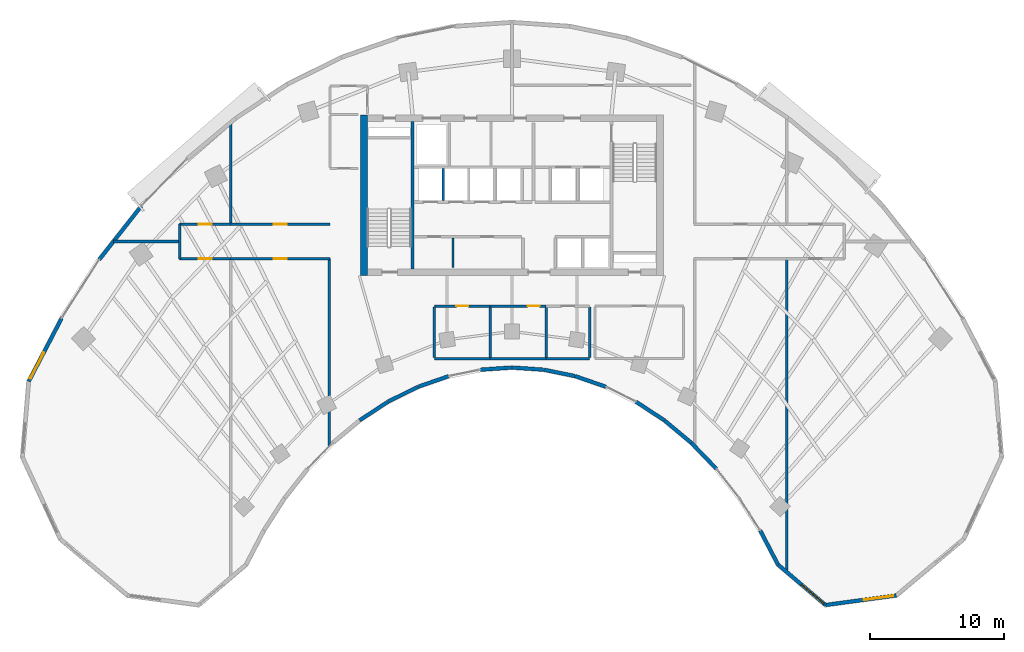
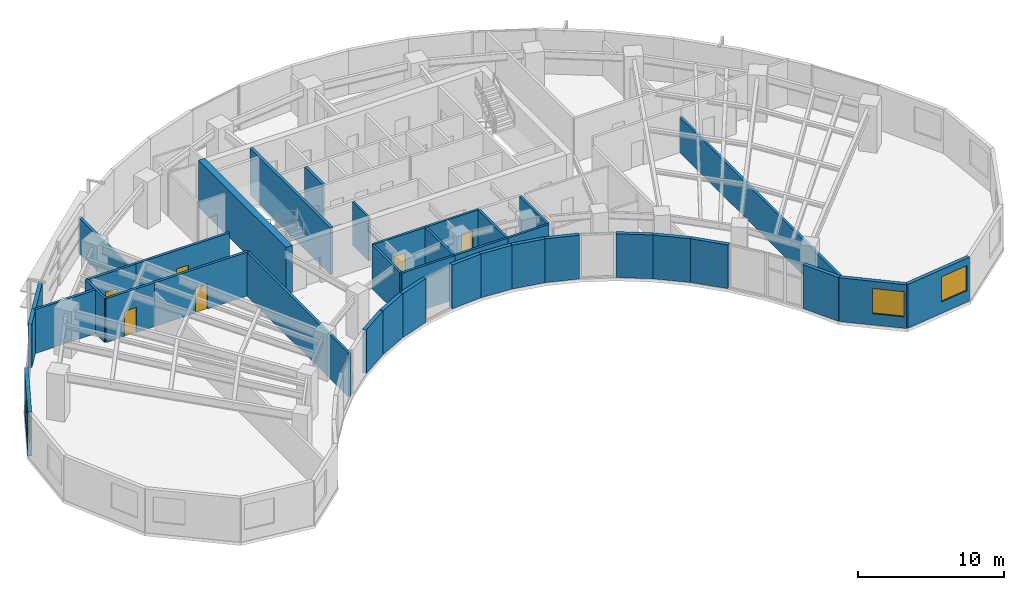
# One storey, part 8 of 13: 37 walls, 6 doors, 3 windows, 9 openings.
"""IFC4 building model written with IfcOpenShell, lengths in metres."""

from ifc_helpers import new_model, si_unit, direction, frame, frame_2d, origin, place, context, subcontext, project, spatial, rectangle, extrude, source, transform, mapped, material, layer, layer_set, type_object, type_shapes, element, fill, save


model = new_model("IFC4")

# Units and contexts
model_context = context("Model", 3, precision=1e-05, world=origin(), true_north=direction((0.0, 1.0)))
body_context = subcontext(model_context, "Body", "Model", "MODEL_VIEW")
ifc_project = project(units=[si_unit("LENGTHUNIT", "METRE"), si_unit("AREAUNIT", "SQUARE_METRE"), si_unit("VOLUMEUNIT", "CUBIC_METRE"), si_unit("PLANEANGLEUNIT", "RADIAN"), si_unit("MASSUNIT", "GRAM", prefix="KILO")], contexts=[model_context])

# Site, building, storey
site_placement = place(None, origin())
site = spatial("IfcSite", under=ifc_project, at=site_placement, CompositionType="ELEMENT")
building_placement = place(site_placement, origin())
building = spatial("IfcBuilding", under=site, at=building_placement, Name="Breltana Convention Tower", CompositionType="ELEMENT")
storey_placement = place(building_placement, frame((0.0, 0.0, 107.699951171875)))
storey = spatial("IfcBuildingStorey", under=building, at=storey_placement, Name="L25", CompositionType="ELEMENT", Elevation=107.699951171875)

# Walls
ifc_material_1 = material(Name="Concrete C60/75", Category="concrete")
ifc_layer_1 = layer(ifc_material_1, 0.5, Name="Concrete C60/75")
ifc_layer_set_1 = layer_set([ifc_layer_1], Name="Concrete C60/75")
wall_type_1 = type_object("IfcWallType", Name="SW-CORE-500", PredefinedType="SHEAR", material=ifc_layer_set_1)
shared_shape_1 = source(origin(), body_context, "Body", "SweptSolid", [
    extrude(rectangle(XDim=12.0, YDim=0.5, at=frame_2d((6.0, 0.0))), origin(), (0.0, 0.0, 1.0), 3.900146484375),
])
wall_1_placement = place(storey_placement, frame((36.949951171875, 60.199951171875, 0.0), z_axis=(0.0, 0.0, 1.0), x_axis=(0.0, 1.0, 0.0)))
element("IfcWall", 1, at=wall_1_placement, inside=storey, type_object=wall_type_1, Name="L25 West Core Shear Wall", PredefinedType="SHEAR", context=body_context, shape_type="MappedRepresentation", body=[
    mapped(shared_shape_1, transform((0.0, 0.0, 0.0), scale=1.0)),
])
ifc_material_2 = material(Name="Concrete C50/60", Category="concrete")
ifc_layer_2 = layer(ifc_material_2, 0.39990234375, Name="Concrete C50/60")
ifc_layer_set_2 = layer_set([ifc_layer_2], Name="Concrete C50/60")
wall_type_2 = type_object("IfcWallType", Name="SW-CORE-400", PredefinedType="SHEAR", material=ifc_layer_set_2)
shared_shape_2 = source(origin(), body_context, "Body", "SweptSolid", [
    extrude(rectangle(XDim=11.0, YDim=0.219970703125, at=frame_2d((5.5, 0.0))), origin(), (0.0, 0.0, 1.0), 3.900146484375),
])
wall_2_placement = place(storey_placement, frame((40.580078125, 60.699951171875, 0.0), z_axis=(0.0, 0.0, 1.0), x_axis=(0.0, 1.0, 0.0)))
element("IfcWall", 2, at=wall_2_placement, inside=storey, type_object=wall_type_2, Name="L25 Core West Stair Spine Wall", PredefinedType="SHEAR", context=body_context, shape_type="MappedRepresentation", body=[
    mapped(shared_shape_2, transform((0.0, 0.0, 0.0), scale=1.0)),
])

# Wall, opening, window
ifc_material_3 = material(Name="Limestone Buff Insulated Wall", Category="masonry")
ifc_layer_3 = layer(ifc_material_3, 0.280029296875, Name="Limestone Buff Insulated Wall")
ifc_layer_set_3 = layer_set([ifc_layer_3], Name="Limestone Buff Insulated Wall")
wall_type_3 = type_object("IfcWallType", Name="WL-EXT-NOSE-280", PredefinedType="SOLIDWALL", material=ifc_layer_set_3)
shared_shape_3 = source(origin(), body_context, "Body", "SweptSolid", [
    extrude(rectangle(XDim=5.32373046875, YDim=0.280029296875, at=frame_2d((2.661865234375, 0.0))), origin(), (0.0, 0.0, 1.0), 3.650146484375),
])
wall_3_placement = place(storey_placement, frame((76.685791015625, 36.321533203125, 0.0), z_axis=(0.0, 0.0, 1.0), x_axis=(-0.990931467223, -0.134368252451, 0.0)))
wall_3 = element("IfcWall", 3, at=wall_3_placement, inside=storey, type_object=wall_type_3, Name="L25 curved limestone nose wall E4", PredefinedType="SOLIDWALL", context=body_context, shape_type="MappedRepresentation", body=[
    mapped(shared_shape_3, transform((0.0, 0.0, 0.0), scale=1.0)),
])
opening_1_placement = place(wall_3_placement, frame((0.23095703125, 0.0, 0.949951171875)))
opening_1 = element("IfcOpeningElement", 4, at=opening_1_placement, cuts=wall_3, Name="Opening W-03", PredefinedType="OPENING", context=body_context, shape_type="SweptSolid", body=[
    extrude(rectangle(XDim=2.199951171875, YDim=2.10009765625, at=frame_2d((1.10009765625, 1.050048828125))), frame((0.0, 0.14990234375, 0.0), z_axis=(0.0, -1.0, 0.0), x_axis=(1.0, 0.0, 0.0)), (0.0, 0.0, 1.0), 0.300048828125),
])
ifc_material_4 = material(Name="Glass Low-E Insulated Window", Category="glass")
window_type = type_object("IfcWindowType", Name="WN-NOSE-2200X2100", PartitioningType="TRIPLE_PANEL_VERTICAL", PredefinedType="WINDOW", material=ifc_material_4)
shared_shape_4 = source(origin(), body_context, "Body", "SweptSolid", [
    extrude(rectangle(XDim=2.199951171875, YDim=2.10009765625, at=frame_2d((1.10009765625, 1.050048828125))), frame((0.0, 0.030029296875, 0.0), z_axis=(0.0, -1.0, 0.0), x_axis=(1.0, 0.0, 0.0)), (0.0, 0.0, 1.0), 0.06005859375),
])
type_shapes(window_type, [shared_shape_4])
window_1_placement = place(opening_1_placement, origin())
window_1 = element("IfcWindow", 5, at=window_1_placement, inside=storey, type_object=window_type, Name="L25 nose window E4", OverallHeight=2.10009765625, OverallWidth=2.199951171875, PartitioningType="TRIPLE_PANEL_VERTICAL", PredefinedType="WINDOW", context=body_context, shape_type="MappedRepresentation", body=[
    mapped(shared_shape_4, transform((0.0, 0.0, 0.0), scale=1.0)),
])
fill(opening_1, window_1)

shared_shape_5 = source(origin(), body_context, "Body", "SweptSolid", [
    extrude(rectangle(XDim=4.6591796875, YDim=0.280029296875, at=frame_2d((2.32958984375, 0.0))), origin(), (0.0, 0.0, 1.0), 3.650146484375),
])
wall_4_placement = place(storey_placement, frame((71.410400390625, 35.606201171875, 0.0), z_axis=(0.0, 0.0, 1.0), x_axis=(-0.761913458795, 0.647678841176, 0.0)))
wall_4 = element("IfcWall", 6, at=wall_4_placement, inside=storey, type_object=wall_type_3, Name="L25 curved limestone nose wall E5", PredefinedType="SOLIDWALL", context=body_context, shape_type="MappedRepresentation", body=[
    mapped(shared_shape_5, transform((0.0, 0.0, 0.0), scale=1.0)),
])
opening_2_placement = place(wall_4_placement, frame((0.159912109375, 0.0, 0.949951171875)))
opening_2 = element("IfcOpeningElement", 7, at=opening_2_placement, cuts=wall_4, Name="Opening W-03", PredefinedType="OPENING", context=body_context, shape_type="SweptSolid", body=[
    extrude(rectangle(XDim=2.199951171875, YDim=2.10009765625, at=frame_2d((1.10009765625, 1.050048828125))), frame((0.0, 0.14990234375, 0.0), z_axis=(0.0, -1.0, 0.0), x_axis=(1.0, 0.0, 0.0)), (0.0, 0.0, 1.0), 0.300048828125),
])
window_2_placement = place(opening_2_placement, origin())
window_2 = element("IfcWindow", 8, at=window_2_placement, inside=storey, type_object=window_type, Name="L25 nose window E5", OverallHeight=2.10009765625, OverallWidth=2.199951171875, PartitioningType="TRIPLE_PANEL_VERTICAL", PredefinedType="WINDOW", context=body_context, shape_type="MappedRepresentation", body=[
    mapped(shared_shape_4, transform((0.0, 0.0, 0.0), scale=1.0)),
])
fill(opening_2, window_2)

# Walls
shared_shape_6 = source(origin(), body_context, "Body", "SweptSolid", [
    extrude(rectangle(XDim=2.8798828125, YDim=0.280029296875, at=frame_2d((1.43994140625, 0.0))), origin(), (0.0, 0.0, 1.0), 3.650146484375),
])
wall_5_placement = place(storey_placement, frame((67.860595703125, 38.623779296875, 0.0), z_axis=(0.0, 0.0, 1.0), x_axis=(-0.461769086658, 0.887000175088, 0.0)))
element("IfcWall", 9, at=wall_5_placement, inside=storey, type_object=wall_type_3, Name="L25 curved limestone nose wall E6", PredefinedType="SOLIDWALL", context=body_context, shape_type="MappedRepresentation", body=[
    mapped(shared_shape_6, transform((0.0, 0.0, 0.0), scale=1.0)),
])
shared_shape_7 = source(origin(), body_context, "Body", "SweptSolid", [
    extrude(rectangle(XDim=2.679931640625, YDim=0.280029296875, at=frame_2d((1.33984375, 0.0))), origin(), (0.0, 0.0, 1.0), 3.650146484375),
])
wall_6_placement = place(storey_placement, frame((63.260009765625, 45.780029296875, 0.0), z_axis=(0.0, 0.0, 1.0), x_axis=(-0.694561996568, 0.719432855049, 0.0)))
element("IfcWall", 10, at=wall_6_placement, inside=storey, type_object=wall_type_3, Name="L25 curved limestone nose wall E7", PredefinedType="SOLIDWALL", context=body_context, shape_type="MappedRepresentation", body=[
    mapped(shared_shape_7, transform((0.0, 0.0, 0.0), scale=1.0)),
])
shared_shape_8 = source(origin(), body_context, "Body", "SweptSolid", [
    extrude(rectangle(XDim=2.600830078125, YDim=0.280029296875, at=frame_2d((1.30029296875, 0.0))), origin(), (0.0, 0.0, 1.0), 3.650146484375),
])
wall_7_placement = place(storey_placement, frame((61.384521484375, 47.72119140625, 0.0), z_axis=(0.0, 0.0, 1.0), x_axis=(-0.76796730295, 0.640489048775, 0.0)))
element("IfcWall", 11, at=wall_7_placement, inside=storey, type_object=wall_type_3, Name="L25 curved limestone nose wall E8", PredefinedType="SOLIDWALL", context=body_context, shape_type="MappedRepresentation", body=[
    mapped(shared_shape_8, transform((0.0, 0.0, 0.0), scale=1.0)),
])
shared_shape_9 = source(origin(), body_context, "Body", "SweptSolid", [
    extrude(rectangle(XDim=2.46240234375, YDim=0.280029296875, at=frame_2d((1.231201171875, 0.0))), origin(), (0.0, 0.0, 1.0), 3.650146484375),
])
wall_8_placement = place(storey_placement, frame((40.96728515625, 51.890625, 0.0), z_axis=(0.0, 0.0, 1.0), x_axis=(-0.8959882207, -0.444077817917, 0.0)))
element("IfcWall", 12, at=wall_8_placement, inside=storey, type_object=wall_type_3, Name="L25 curved limestone nose wall E15", PredefinedType="SOLIDWALL", context=body_context, shape_type="MappedRepresentation", body=[
    mapped(shared_shape_9, transform((0.0, 0.0, 0.0), scale=1.0)),
])
shared_shape_10 = source(origin(), body_context, "Body", "SweptSolid", [
    extrude(rectangle(XDim=2.41064453125, YDim=0.280029296875, at=frame_2d((1.205322265625, 0.0))), origin(), (0.0, 0.0, 1.0), 3.650146484375),
])
for number, where, z_axis, x_axis, name in (
    (13, (55.01171875, 51.8994140625, 0.0), (0.0, 0.0, 1.0), (-0.944880068161, 0.327416640982, 0.0), "L25 curved limestone nose wall E10"),
    (14, (43.26611328125, 52.688720703125, 0.0), (0.0, 0.0, 1.0), (-0.944880068161, -0.327416640982, 0.0), "L25 curved limestone nose wall E14"),
):
    element("IfcWall", number, at=place(storey_placement, frame(where, z_axis=z_axis, x_axis=x_axis)), inside=storey, type_object=wall_type_3, Name=name, PredefinedType="SOLIDWALL", context=body_context, shape_type="MappedRepresentation", body=[
        mapped(shared_shape_10, transform((0.0, 0.0, 0.0), scale=1.0)),
    ])
shared_shape_11 = source(origin(), body_context, "Body", "SweptSolid", [
    extrude(rectangle(XDim=2.373779296875, YDim=0.280029296875, at=frame_2d((1.18701171875, 0.0))), origin(), (0.0, 0.0, 1.0), 3.650146484375),
])
wall_9_placement = place(storey_placement, frame((52.711181640625, 52.695068359375, 0.0), z_axis=(0.0, 0.0, 1.0), x_axis=(-0.979619827472, 0.200860632341, 0.0)))
element("IfcWall", 15, at=wall_9_placement, inside=storey, type_object=wall_type_3, Name="L25 curved limestone nose wall E11", PredefinedType="SOLIDWALL", context=body_context, shape_type="MappedRepresentation", body=[
    mapped(shared_shape_11, transform((0.0, 0.0, 0.0), scale=1.0)),
])
shared_shape_12 = source(origin(), body_context, "Body", "SweptSolid", [
    extrude(rectangle(XDim=2.35498046875, YDim=0.280029296875, at=frame_2d((1.177490234375, 0.0))), origin(), (0.0, 0.0, 1.0), 3.650146484375),
])
for number, where, z_axis, x_axis, name in (
    (16, (50.36181640625, 53.175048828125, 0.0), (0.0, 0.0, 1.0), (-0.997699017577, 0.067798748701, 0.0), "L25 curved limestone nose wall E12"),
    (17, (47.98779296875, 53.334716796875, 0.0), (0.0, 0.0, 1.0), (-0.997699017577, -0.067798748701, 0.0), "L25 curved limestone nose wall E13"),
):
    element("IfcWall", number, at=place(storey_placement, frame(where, z_axis=z_axis, x_axis=x_axis)), inside=storey, type_object=wall_type_3, Name=name, PredefinedType="SOLIDWALL", context=body_context, shape_type="MappedRepresentation", body=[
        mapped(shared_shape_12, transform((0.0, 0.0, 0.0), scale=1.0)),
    ])
shared_shape_13 = source(origin(), body_context, "Body", "SweptSolid", [
    extrude(rectangle(XDim=2.52734375, YDim=0.280029296875, at=frame_2d((1.263671875, 0.0))), origin(), (0.0, 0.0, 1.0), 3.650146484375),
])
for number, where, z_axis, x_axis, name in (
    (18, (59.37060546875, 49.3994140625, 0.0), (0.0, 0.0, 1.0), (-0.836011905051, 0.548711303523, 0.0), "L25 curved limestone nose wall E9"),
    (19, (38.7421875, 50.7861328125, 0.0), (0.0, 0.0, 1.0), (-0.836011905051, -0.548711303523, 0.0), "L25 curved limestone nose wall E16"),
):
    element("IfcWall", number, at=place(storey_placement, frame(where, z_axis=z_axis, x_axis=x_axis)), inside=storey, type_object=wall_type_3, Name=name, PredefinedType="SOLIDWALL", context=body_context, shape_type="MappedRepresentation", body=[
        mapped(shared_shape_13, transform((0.0, 0.0, 0.0), scale=1.0)),
    ])

# Wall, opening, window
shared_shape_14 = source(origin(), body_context, "Body", "SweptSolid", [
    extrude(rectangle(XDim=5.315185546875, YDim=0.280029296875, at=frame_2d((2.65771484375, 0.0))), origin(), (0.0, 0.0, 1.0), 3.650146484375),
])
wall_10_placement = place(storey_placement, frame((11.92236328125, 52.305419921875, 0.0), z_axis=(0.0, 0.0, 1.0), x_axis=(0.461760527822, 0.887004630735, 0.0)))
wall_10 = element("IfcWall", 20, at=wall_10_placement, inside=storey, type_object=wall_type_3, Name="L25 curved limestone nose wall W7", PredefinedType="SOLIDWALL", context=body_context, shape_type="MappedRepresentation", body=[
    mapped(shared_shape_14, transform((0.0, 0.0, 0.0), scale=1.0)),
])
opening_3_placement = place(wall_10_placement, frame((0.228759765625, 0.0, 0.949951171875)))
opening_3 = element("IfcOpeningElement", 21, at=opening_3_placement, cuts=wall_10, Name="Opening W-03", PredefinedType="OPENING", context=body_context, shape_type="SweptSolid", body=[
    extrude(rectangle(XDim=2.199951171875, YDim=2.10009765625, at=frame_2d((1.10009765625, 1.050048828125))), frame((0.0, 0.14990234375, 0.0), z_axis=(0.0, -1.0, 0.0), x_axis=(1.0, 0.0, 0.0)), (0.0, 0.0, 1.0), 0.300048828125),
])
window_3_placement = place(opening_3_placement, origin())
window_3 = element("IfcWindow", 22, at=window_3_placement, inside=storey, type_object=window_type, Name="L25 nose window W7", OverallHeight=2.10009765625, OverallWidth=2.199951171875, PartitioningType="TRIPLE_PANEL_VERTICAL", PredefinedType="WINDOW", context=body_context, shape_type="MappedRepresentation", body=[
    mapped(shared_shape_4, transform((0.0, 0.0, 0.0), scale=1.0)),
])
fill(opening_3, window_3)

# Walls
shared_shape_15 = source(origin(), body_context, "Body", "SweptSolid", [
    extrude(rectangle(XDim=5.05810546875, YDim=0.280029296875, at=frame_2d((2.529052734375, 0.0))), origin(), (0.0, 0.0, 1.0), 3.650146484375),
])
wall_11_placement = place(storey_placement, frame((17.1884765625, 61.400390625, 0.0), z_axis=(0.0, 0.0, 1.0), x_axis=(0.618145507434, 0.786063694391, 0.0)))
element("IfcWall", 23, at=wall_11_placement, inside=storey, type_object=wall_type_3, Name="L25 curved limestone nose wall E20", PredefinedType="SOLIDWALL", context=body_context, shape_type="MappedRepresentation", body=[
    mapped(shared_shape_15, transform((0.0, 0.0, 0.0), scale=1.0)),
])
ifc_material_5 = material(Name="Autoclaved Aerated Concrete Block", Category="concrete")
ifc_layer_4 = layer(ifc_material_5, 0.199951171875, Name="Autoclaved Aerated Concrete Block")
ifc_layer_set_4 = layer_set([ifc_layer_4], Name="Autoclaved Aerated Concrete Block")
wall_type_4 = type_object("IfcWallType", Name="WL-SHAFT-200", PredefinedType="SOLIDWALL", material=ifc_layer_set_4)
shared_shape_16 = source(origin(), body_context, "Body", "SweptSolid", [
    extrude(rectangle(XDim=2.39990234375, YDim=0.199951171875, at=frame_2d((1.199951171875, 0.0))), origin(), (0.0, 0.0, 1.0), 3.650146484375),
])
wall_12_placement = place(storey_placement, frame((42.8701171875, 65.800048828125, 0.0), z_axis=(0.0, 0.0, 1.0), x_axis=(0.0, 1.0, 0.0)))
element("IfcWall", 24, at=wall_12_placement, inside=storey, type_object=wall_type_4, Name="L25 interior partition W-L25-SH-M-DIV1", PredefinedType="SOLIDWALL", context=body_context, shape_type="MappedRepresentation", body=[
    mapped(shared_shape_16, transform((0.0, 0.0, 0.0), scale=1.0)),
])
ifc_material_6 = material(Name="Cement Board Wet-Area Partition")
ifc_layer_5 = layer(ifc_material_6, 0.175048828125, Name="Cement Board Wet-Area Partition")
ifc_layer_set_5 = layer_set([ifc_layer_5], Name="Cement Board Wet-Area Partition")
wall_type_5 = type_object("IfcWallType", Name="WL-WET-175", PredefinedType="PARTITIONING", material=ifc_layer_set_5)
shared_shape_17 = source(origin(), body_context, "Body", "SweptSolid", [
    extrude(rectangle(XDim=4.176025390625, YDim=0.175048828125, at=frame_2d((2.087890625, 0.0))), origin(), (0.0, 0.0, 1.0), 3.650146484375),
])
for number, where, z_axis, x_axis, name in (
    (25, (42.199951171875, 54.0, 0.0), (0.0, 0.0, 1.0), (1.0, 0.0, 0.0), "L25 interior partition W-L25-WCM-S"),
    (26, (46.3759765625, 54.0, 0.0), (0.0, 0.0, 1.0), (1.0, 0.0, 0.0), "L25 interior partition W-L25-WCF-S"),
):
    element("IfcWall", number, at=place(storey_placement, frame(where, z_axis=z_axis, x_axis=x_axis)), inside=storey, type_object=wall_type_5, Name=name, PredefinedType="PARTITIONING", context=body_context, shape_type="MappedRepresentation", body=[
        mapped(shared_shape_17, transform((0.0, 0.0, 0.0), scale=1.0)),
    ])

# Wall, opening, door
ifc_material_7 = material(Name="Moisture-Resistant Gypsum Chase Wall")
ifc_layer_6 = layer(ifc_material_7, 0.179931640625, Name="Moisture-Resistant Gypsum Chase Wall")
ifc_layer_set_6 = layer_set([ifc_layer_6], Name="Moisture-Resistant Gypsum Chase Wall")
wall_type_6 = type_object("IfcWallType", Name="WL-PLUMB-180", PredefinedType="PLUMBINGWALL", material=ifc_layer_set_6)
shared_shape_18 = source(origin(), body_context, "Body", "SweptSolid", [
    extrude(rectangle(XDim=4.176025390625, YDim=0.179931640625, at=frame_2d((2.087890625, 0.0))), origin(), (0.0, 0.0, 1.0), 3.650146484375),
])
wall_13_placement = place(storey_placement, frame((42.199951171875, 57.919921875, 0.0), z_axis=(0.0, 0.0, 1.0), x_axis=(1.0, 0.0, 0.0)))
wall_13 = element("IfcWall", 27, at=wall_13_placement, inside=storey, type_object=wall_type_6, Name="L25 interior partition W-L25-WCM-N", PredefinedType="PLUMBINGWALL", context=body_context, shape_type="MappedRepresentation", body=[
    mapped(shared_shape_18, transform((0.0, 0.0, 0.0), scale=1.0)),
])
opening_4_placement = place(wall_13_placement, frame((1.637939453125, 0.0, 0.0)))
opening_4 = element("IfcOpeningElement", 28, at=opening_4_placement, cuts=wall_13, Name="Opening D-19", PredefinedType="OPENING", context=body_context, shape_type="SweptSolid", body=[
    extrude(rectangle(XDim=0.89990234375, YDim=2.080078125, at=frame_2d((0.449951171875, 1.0400390625))), frame((0.0, 0.10009765625, 0.0), z_axis=(0.0, -1.0, 0.0), x_axis=(1.0, 0.0, 0.0)), (0.0, 0.0, 1.0), 0.199951171875),
])
ifc_material_8 = material(Name="Timber Moisture-Resistant Door", Category="wood")
door_type_1 = type_object("IfcDoorType", Name="DR-WC-900", OperationType="NOTDEFINED", PredefinedType="DOOR", material=ifc_material_8)
shared_shape_19 = source(origin(), body_context, "Body", "SweptSolid", [
    extrude(rectangle(XDim=0.89990234375, YDim=2.080078125, at=frame_2d((0.449951171875, 1.0400390625))), frame((0.0, 0.02490234375, 0.0), z_axis=(0.0, -1.0, 0.0), x_axis=(1.0, 0.0, 0.0)), (0.0, 0.0, 1.0), 0.050048828125),
])
type_shapes(door_type_1, [shared_shape_19])
door_1_placement = place(opening_4_placement, origin())
door_1 = element("IfcDoor", 29, at=door_1_placement, inside=storey, type_object=door_type_1, Name="L25 interior door D-L25-WCM", OperationType="SINGLE_SWING_LEFT", OverallHeight=2.080078125, OverallWidth=0.89990234375, PredefinedType="DOOR", context=body_context, shape_type="MappedRepresentation", body=[
    mapped(shared_shape_19, transform((0.0, 0.0, 0.0), scale=1.0)),
])
fill(opening_4, door_1)

wall_14_placement = place(storey_placement, frame((46.3759765625, 57.919921875, 0.0), z_axis=(0.0, 0.0, 1.0), x_axis=(1.0, 0.0, 0.0)))
wall_14 = element("IfcWall", 30, at=wall_14_placement, inside=storey, type_object=wall_type_6, Name="L25 interior partition W-L25-WCF-N", PredefinedType="PLUMBINGWALL", context=body_context, shape_type="MappedRepresentation", body=[
    mapped(shared_shape_18, transform((0.0, 0.0, 0.0), scale=1.0)),
])
opening_5_placement = place(wall_14_placement, frame((2.7880859375, 0.0, 0.0)))
opening_5 = element("IfcOpeningElement", 31, at=opening_5_placement, cuts=wall_14, Name="Opening D-19", PredefinedType="OPENING", context=body_context, shape_type="SweptSolid", body=[
    extrude(rectangle(XDim=0.89990234375, YDim=2.080078125, at=frame_2d((0.449951171875, 1.0400390625))), frame((0.0, 0.10009765625, 0.0), z_axis=(0.0, -1.0, 0.0), x_axis=(1.0, 0.0, 0.0)), (0.0, 0.0, 1.0), 0.199951171875),
])
door_2_placement = place(opening_5_placement, origin())
door_2 = element("IfcDoor", 32, at=door_2_placement, inside=storey, type_object=door_type_1, Name="L25 interior door D-L25-WCF", OperationType="SINGLE_SWING_RIGHT", OverallHeight=2.080078125, OverallWidth=0.89990234375, PredefinedType="DOOR", context=body_context, shape_type="MappedRepresentation", body=[
    mapped(shared_shape_19, transform((0.0, 0.0, 0.0), scale=1.0)),
])
fill(opening_5, door_2)

# Walls
shared_shape_20 = source(origin(), body_context, "Body", "SweptSolid", [
    extrude(rectangle(XDim=3.7626953125, YDim=0.175048828125, at=frame_2d((1.88134765625, 0.0))), origin(), (0.0, 0.0, 1.0), 3.650146484375),
])
for number, where, z_axis, x_axis, name in (
    (33, (42.199951171875, 54.07861328125, 0.0), (0.0, 0.0, 1.0), (0.0, 1.0, 0.0), "L25 interior partition W-L25-WCM-W"),
    (34, (46.3759765625, 54.07861328125, 0.0), (0.0, 0.0, 1.0), (0.0, 1.0, 0.0), "L25 interior partition W-L25-WCM-E"),
    (35, (50.552001953125, 54.07861328125, 0.0), (0.0, 0.0, 1.0), (0.0, 1.0, 0.0), "L25 interior partition W-L25-WCF-E"),
    (36, (53.800048828125, 54.07861328125, 0.0), (0.0, 0.0, 1.0), (0.0, 1.0, 0.0), "L25 interior partition W-L25-WCA-E"),
):
    element("IfcWall", number, at=place(storey_placement, frame(where, z_axis=z_axis, x_axis=x_axis)), inside=storey, type_object=wall_type_5, Name=name, PredefinedType="PARTITIONING", context=body_context, shape_type="MappedRepresentation", body=[
        mapped(shared_shape_20, transform((0.0, 0.0, 0.0), scale=1.0)),
    ])
shared_shape_21 = source(origin(), body_context, "Body", "SweptSolid", [
    extrude(rectangle(XDim=3.248046875, YDim=0.175048828125, at=frame_2d((1.6240234375, 0.0))), origin(), (0.0, 0.0, 1.0), 3.650146484375),
])
wall_15_placement = place(storey_placement, frame((50.552001953125, 54.0, 0.0), z_axis=(0.0, 0.0, 1.0), x_axis=(1.0, 0.0, 0.0)))
element("IfcWall", 37, at=wall_15_placement, inside=storey, type_object=wall_type_5, Name="L25 interior partition W-L25-WCA-S", PredefinedType="PARTITIONING", context=body_context, shape_type="MappedRepresentation", body=[
    mapped(shared_shape_21, transform((0.0, 0.0, 0.0), scale=1.0)),
])
ifc_material_9 = material(Name="Gypsum Acoustic Drywall Partition")
ifc_layer_7 = layer(ifc_material_9, 0.14990234375, Name="Gypsum Acoustic Drywall Partition")
ifc_layer_set_7 = layer_set([ifc_layer_7], Name="Gypsum Acoustic Drywall Partition")
wall_type_7 = type_object("IfcWallType", Name="WL-PART-150", PredefinedType="PARTITIONING", material=ifc_layer_set_7)
shared_shape_22 = source(origin(), body_context, "Body", "SweptSolid", [
    extrude(rectangle(XDim=2.199951171875, YDim=0.14990234375, at=frame_2d((1.10009765625, 0.0))), origin(), (0.0, 0.0, 1.0), 3.650146484375),
])
wall_16_placement = place(storey_placement, frame((43.60009765625, 60.800048828125, 0.0), z_axis=(0.0, 0.0, 1.0), x_axis=(0.0, 1.0, 0.0)))
element("IfcWall", 38, at=wall_16_placement, inside=storey, type_object=wall_type_7, Name="L25 interior partition W-L25-LV7-B1-DIV", PredefinedType="PARTITIONING", context=body_context, shape_type="MappedRepresentation", body=[
    mapped(shared_shape_22, transform((0.0, 0.0, 0.0), scale=1.0)),
])

# Wall, opening, door
ifc_material_10 = material(Name="Gypsum Acoustic Hotel Wall")
ifc_layer_8 = layer(ifc_material_10, 0.195068359375, Name="Gypsum Acoustic Hotel Wall")
ifc_layer_set_8 = layer_set([ifc_layer_8], Name="Gypsum Acoustic Hotel Wall")
wall_type_8 = type_object("IfcWallType", Name="WL-HOTEL-200", PredefinedType="PARTITIONING", material=ifc_layer_set_8)
shared_shape_23 = source(origin(), body_context, "Body", "SweptSolid", [
    extrude(rectangle(XDim=3.820068359375, YDim=0.195068359375, at=frame_2d((1.91015625, 0.0))), origin(), (0.0, 0.0, 1.0), 3.650146484375),
])
wall_17_placement = place(storey_placement, frame((23.179931640625, 64.0400390625, 0.0), z_axis=(0.0, 0.0, 1.0), x_axis=(1.0, 0.0, 0.0)))
wall_17 = element("IfcWall", 39, at=wall_17_placement, inside=storey, type_object=wall_type_8, Name="L25 interior partition W-L25-ZWN1-D", PredefinedType="PARTITIONING", context=body_context, shape_type="MappedRepresentation", body=[
    mapped(shared_shape_23, transform((0.0, 0.0, 0.0), scale=1.0)),
])
opening_6_placement = place(wall_17_placement, frame((1.43505859375, 0.0, 0.0)))
opening_6 = element("IfcOpeningElement", 40, at=opening_6_placement, cuts=wall_17, Name="Opening D-17", PredefinedType="OPENING", context=body_context, shape_type="SweptSolid", body=[
    extrude(rectangle(XDim=0.949951171875, YDim=2.10009765625, at=frame_2d((0.47509765625, 1.050048828125))), frame((0.0, 0.107421875, 0.0), z_axis=(0.0, -1.0, 0.0), x_axis=(1.0, 0.0, 0.0)), (0.0, 0.0, 1.0), 0.215087890625),
])
ifc_material_11 = material(Name="Timber Oak Veneer Door", Category="wood")
door_type_2 = type_object("IfcDoorType", Name="DR-INT-950", OperationType="NOTDEFINED", PredefinedType="DOOR", material=ifc_material_11)
shared_shape_24 = source(origin(), body_context, "Body", "SweptSolid", [
    extrude(rectangle(XDim=0.949951171875, YDim=2.10009765625, at=frame_2d((0.47509765625, 1.050048828125))), frame((0.0, 0.02490234375, 0.0), z_axis=(0.0, -1.0, 0.0), x_axis=(1.0, 0.0, 0.0)), (0.0, 0.0, 1.0), 0.050048828125),
])
type_shapes(door_type_2, [shared_shape_24])
door_3_placement = place(opening_6_placement, origin())
door_3 = element("IfcDoor", 41, at=door_3_placement, inside=storey, type_object=door_type_2, Name="L25 interior door D-L25-ZWN1", OperationType="SINGLE_SWING_LEFT", OverallHeight=2.10009765625, OverallWidth=0.949951171875, PredefinedType="DOOR", context=body_context, shape_type="MappedRepresentation", body=[
    mapped(shared_shape_24, transform((0.0, 0.0, 0.0), scale=1.0)),
])
fill(opening_6, door_3)

wall_18_placement = place(storey_placement, frame((23.179931640625, 61.4599609375, 0.0), z_axis=(0.0, 0.0, 1.0), x_axis=(1.0, 0.0, 0.0)))
wall_18 = element("IfcWall", 42, at=wall_18_placement, inside=storey, type_object=wall_type_8, Name="L25 interior partition W-L25-ZWS1-D", PredefinedType="PARTITIONING", context=body_context, shape_type="MappedRepresentation", body=[
    mapped(shared_shape_23, transform((0.0, 0.0, 0.0), scale=1.0)),
])
opening_7_placement = place(wall_18_placement, frame((1.43505859375, 0.0, 0.0)))
opening_7 = element("IfcOpeningElement", 43, at=opening_7_placement, cuts=wall_18, Name="Opening D-17", PredefinedType="OPENING", context=body_context, shape_type="SweptSolid", body=[
    extrude(rectangle(XDim=0.949951171875, YDim=2.10009765625, at=frame_2d((0.47509765625, 1.050048828125))), frame((0.0, 0.107421875, 0.0), z_axis=(0.0, -1.0, 0.0), x_axis=(1.0, 0.0, 0.0)), (0.0, 0.0, 1.0), 0.215087890625),
])
door_4_placement = place(opening_7_placement, origin())
door_4 = element("IfcDoor", 44, at=door_4_placement, inside=storey, type_object=door_type_2, Name="L25 interior door D-L25-ZWS1", OperationType="SINGLE_SWING_LEFT", OverallHeight=2.10009765625, OverallWidth=0.949951171875, PredefinedType="DOOR", context=body_context, shape_type="MappedRepresentation", body=[
    mapped(shared_shape_24, transform((0.0, 0.0, 0.0), scale=1.0)),
])
fill(opening_7, door_4)

# Wall
shared_shape_25 = source(origin(), body_context, "Body", "SweptSolid", [
    extrude(rectangle(XDim=7.566162109375, YDim=0.195068359375, at=frame_2d((3.783203125, 0.0))), origin(), (0.0, 0.0, 1.0), 2.942138671875),
])
wall_19_placement = place(storey_placement, frame((27.0, 64.06005859375, 0.0), z_axis=(0.0, 0.0, 1.0), x_axis=(0.0, 1.0, 0.0)))
element("IfcWall", 45, at=wall_19_placement, inside=storey, type_object=wall_type_8, Name="L25 interior partition W-L25-ZWN1-E", PredefinedType="PARTITIONING", context=body_context, shape_type="MappedRepresentation", body=[
    mapped(shared_shape_25, transform((0.0, 0.0, 0.0), scale=1.0)),
])

# Wall, opening, door
shared_shape_26 = source(origin(), body_context, "Body", "SweptSolid", [
    extrude(rectangle(XDim=7.39990234375, YDim=0.195068359375, at=frame_2d((3.699951171875, 0.0))), origin(), (0.0, 0.0, 1.0), 3.650146484375),
])
wall_20_placement = place(storey_placement, frame((27.0, 64.0400390625, 0.0), z_axis=(0.0, 0.0, 1.0), x_axis=(1.0, 0.0, 0.0)))
wall_20 = element("IfcWall", 46, at=wall_20_placement, inside=storey, type_object=wall_type_8, Name="L25 interior partition W-L25-ZWN2-D", PredefinedType="PARTITIONING", context=body_context, shape_type="MappedRepresentation", body=[
    mapped(shared_shape_26, transform((0.0, 0.0, 0.0), scale=1.0)),
])
opening_8_placement = place(wall_20_placement, frame((3.22509765625, 0.0, 0.0)))
opening_8 = element("IfcOpeningElement", 47, at=opening_8_placement, cuts=wall_20, Name="Opening D-17", PredefinedType="OPENING", context=body_context, shape_type="SweptSolid", body=[
    extrude(rectangle(XDim=0.949951171875, YDim=2.10009765625, at=frame_2d((0.47509765625, 1.050048828125))), frame((0.0, 0.107421875, 0.0), z_axis=(0.0, -1.0, 0.0), x_axis=(1.0, 0.0, 0.0)), (0.0, 0.0, 1.0), 0.215087890625),
])
door_5_placement = place(opening_8_placement, origin())
door_5 = element("IfcDoor", 48, at=door_5_placement, inside=storey, type_object=door_type_2, Name="L25 interior door D-L25-ZWN2", OperationType="SINGLE_SWING_RIGHT", OverallHeight=2.10009765625, OverallWidth=0.949951171875, PredefinedType="DOOR", context=body_context, shape_type="MappedRepresentation", body=[
    mapped(shared_shape_24, transform((0.0, 0.0, 0.0), scale=1.0)),
])
fill(opening_8, door_5)

wall_21_placement = place(storey_placement, frame((27.0, 61.4599609375, 0.0), z_axis=(0.0, 0.0, 1.0), x_axis=(1.0, 0.0, 0.0)))
wall_21 = element("IfcWall", 49, at=wall_21_placement, inside=storey, type_object=wall_type_8, Name="L25 interior partition W-L25-ZWS2-D", PredefinedType="PARTITIONING", context=body_context, shape_type="MappedRepresentation", body=[
    mapped(shared_shape_26, transform((0.0, 0.0, 0.0), scale=1.0)),
])
opening_9_placement = place(wall_21_placement, frame((3.22509765625, 0.0, 0.0)))
opening_9 = element("IfcOpeningElement", 50, at=opening_9_placement, cuts=wall_21, Name="Opening D-17", PredefinedType="OPENING", context=body_context, shape_type="SweptSolid", body=[
    extrude(rectangle(XDim=0.949951171875, YDim=2.10009765625, at=frame_2d((0.47509765625, 1.050048828125))), frame((0.0, 0.107421875, 0.0), z_axis=(0.0, -1.0, 0.0), x_axis=(1.0, 0.0, 0.0)), (0.0, 0.0, 1.0), 0.215087890625),
])
door_6_placement = place(opening_9_placement, origin())
door_6 = element("IfcDoor", 51, at=door_6_placement, inside=storey, type_object=door_type_2, Name="L25 interior door D-L25-ZWS2", OperationType="SINGLE_SWING_RIGHT", OverallHeight=2.10009765625, OverallWidth=0.949951171875, PredefinedType="DOOR", context=body_context, shape_type="MappedRepresentation", body=[
    mapped(shared_shape_24, transform((0.0, 0.0, 0.0), scale=1.0)),
])
fill(opening_9, door_6)

# Walls
shared_shape_27 = source(origin(), body_context, "Body", "SweptSolid", [
    extrude(rectangle(XDim=13.987548828125, YDim=0.195068359375, at=frame_2d((6.99365234375, 0.0))), origin(), (0.0, 0.0, 1.0), 3.650146484375),
])
wall_22_placement = place(storey_placement, frame((34.360107421875, 47.472412109375, 0.0), z_axis=(0.0, 0.0, 1.0), x_axis=(0.0, 1.0, 0.0)))
element("IfcWall", 52, at=wall_22_placement, inside=storey, type_object=wall_type_8, Name="L25 interior partition W-L25-ZODD-WC", PredefinedType="PARTITIONING", context=body_context, shape_type="MappedRepresentation", body=[
    mapped(shared_shape_27, transform((0.0, 0.0, 0.0), scale=1.0)),
])
shared_shape_28 = source(origin(), body_context, "Body", "SweptSolid", [
    extrude(rectangle(XDim=23.346435546875, YDim=0.195068359375, at=frame_2d((11.67333984375, 0.0))), origin(), (0.0, 0.0, 1.0), 2.942138671875),
])
wall_23_placement = place(storey_placement, frame((68.5, 38.093505859375, 0.0), z_axis=(0.0, 0.0, 1.0), x_axis=(0.0, 1.0, 0.0)))
element("IfcWall", 53, at=wall_23_placement, inside=storey, type_object=wall_type_8, Name="L25 interior partition W-L25-ZES1-E", PredefinedType="PARTITIONING", context=body_context, shape_type="MappedRepresentation", body=[
    mapped(shared_shape_28, transform((0.0, 0.0, 0.0), scale=1.0)),
])
shared_shape_29 = source(origin(), body_context, "Body", "SweptSolid", [
    extrude(rectangle(XDim=2.6201171875, YDim=0.195068359375, at=frame_2d((1.31005859375, 0.0))), origin(), (0.0, 0.0, 1.0), 3.650146484375),
])
wall_24_placement = place(storey_placement, frame((23.179931640625, 61.43994140625, 0.0), z_axis=(0.0, 0.0, 1.0), x_axis=(0.0, 1.0, 0.0)))
element("IfcWall", 54, at=wall_24_placement, inside=storey, type_object=wall_type_8, Name="L25 interior partition W-L25-ZFW-CAP", PredefinedType="PARTITIONING", context=body_context, shape_type="MappedRepresentation", body=[
    mapped(shared_shape_29, transform((0.0, 0.0, 0.0), scale=1.0)),
])
shared_shape_30 = source(origin(), body_context, "Body", "SweptSolid", [
    extrude(rectangle(XDim=4.91748046875, YDim=0.195068359375, at=frame_2d((2.458740234375, 0.0))), origin(), (0.0, 0.0, 1.0), 3.650146484375),
])
wall_25_placement = place(storey_placement, frame((18.262451171875, 62.75, 0.0), z_axis=(0.0, 0.0, 1.0), x_axis=(1.0, 0.0, 0.0)))
element("IfcWall", 55, at=wall_25_placement, inside=storey, type_object=wall_type_8, Name="L25 interior partition W-L25-ZFW-EXT", PredefinedType="PARTITIONING", context=body_context, shape_type="MappedRepresentation", body=[
    mapped(shared_shape_30, transform((0.0, 0.0, 0.0), scale=1.0)),
])

save(model, "model.ifc")
